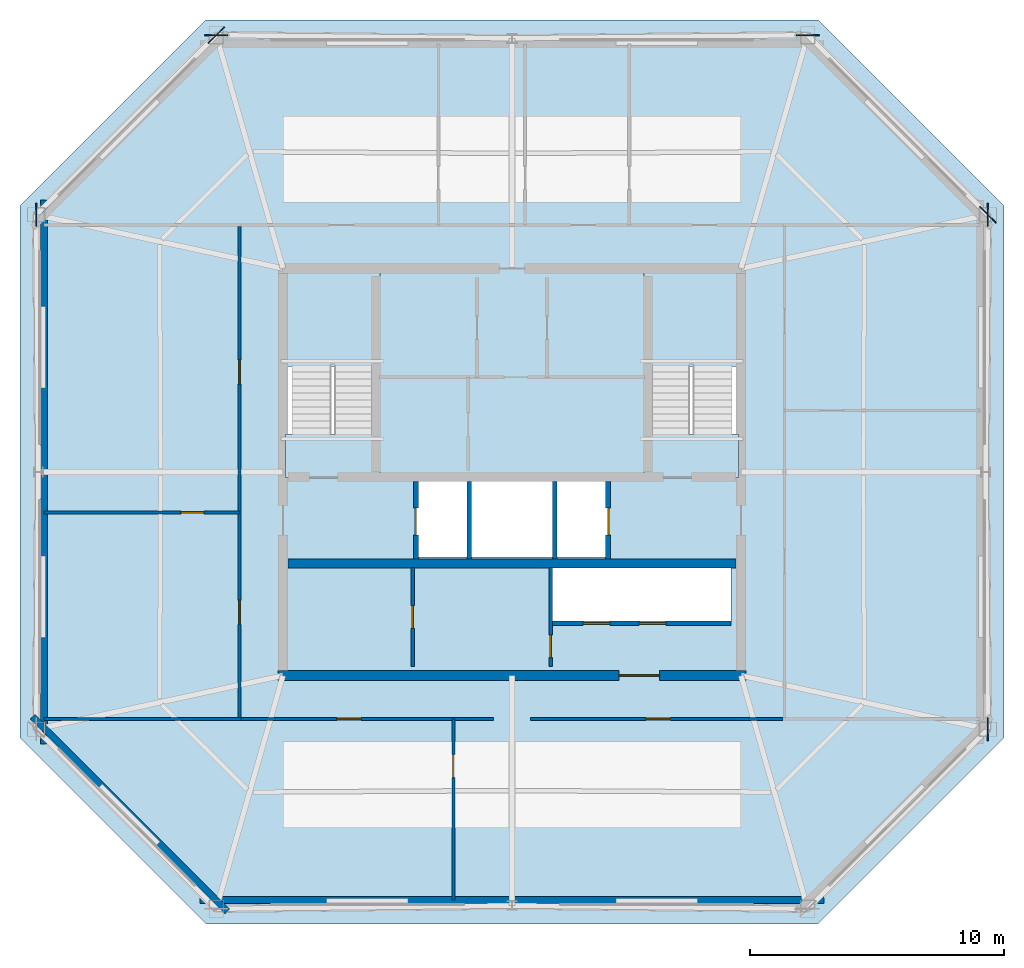
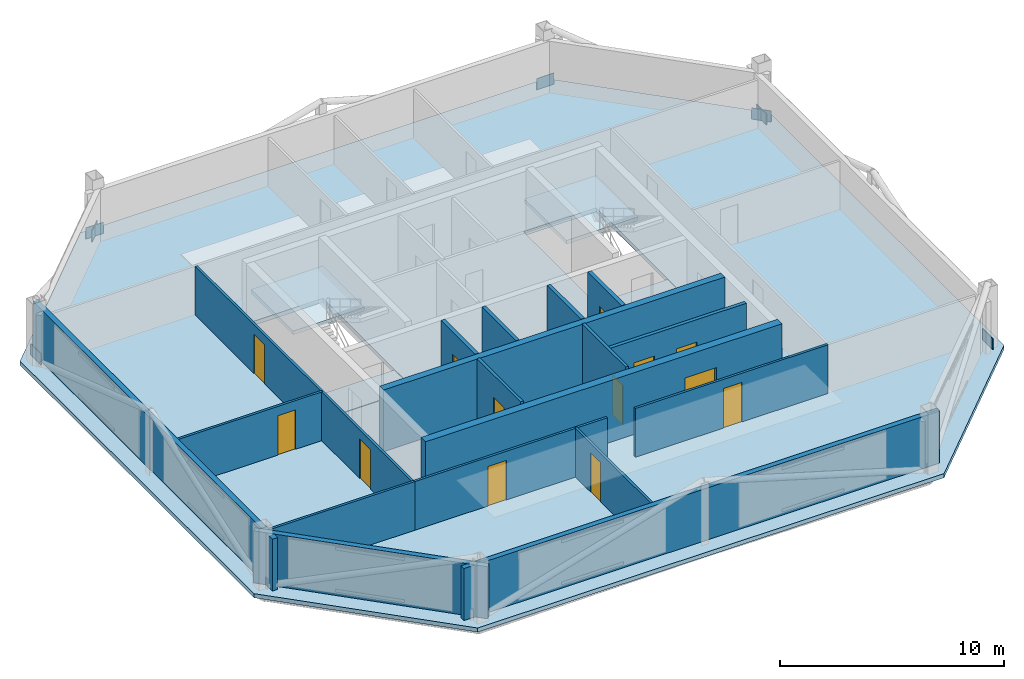
# One storey, part 2 of 6: 18 walls, 13 doors, 7 plates, 5 slabs, 13 openings, 2 elements without a shape of their own.
"""IFC4 building model written with IfcOpenShell, lengths in metres."""

from ifc_helpers import new_model, si_unit, direction, frame, frame_2d, origin, origin_2d, place, context, subcontext, project, spatial, polyline, rectangle, outline, extrude, material, layer, layer_set, type_object, element, fill, aggregate, save


model = new_model("IFC4")

# Units and contexts
model_context = context("Model", 3, precision=1e-05, world=origin(), true_north=direction((0.0, 1.0)))
body_context = subcontext(model_context, "Body", "Model", "MODEL_VIEW")
ifc_project = project(units=[si_unit("LENGTHUNIT", "METRE"), si_unit("AREAUNIT", "SQUARE_METRE"), si_unit("VOLUMEUNIT", "CUBIC_METRE"), si_unit("PLANEANGLEUNIT", "RADIAN"), si_unit("MASSUNIT", "GRAM", prefix="KILO")], contexts=[model_context])

# Site, building, storey
site_placement = place(None, origin())
site = spatial("IfcSite", under=ifc_project, at=site_placement, CompositionType="ELEMENT")
building_placement = place(site_placement, origin())
building = spatial("IfcBuilding", under=site, at=building_placement, Name="Caelvoria Tower", CompositionType="ELEMENT")
storey_placement = place(building_placement, frame((0.0, 0.0, 250.199951171875)))
storey = spatial("IfcBuildingStorey", under=building, at=storey_placement, Name="L66", CompositionType="ELEMENT", Elevation=250.199951171875)

# Plates
ifc_material_1 = material(Name="Structural Steel ASTM A572 Gr.50", Category="steel")
ifc_layer_1 = layer(ifc_material_1, 0.0400390625, Name="Structural Steel ASTM A572 Gr.50")
ifc_layer_set_1 = layer_set([ifc_layer_1], Name="Megaframe Node Gusset Plate 900x600x40 - Structural Steel ASTM A572 Gr.50")
plate_type = type_object("IfcPlateType", Name="Megaframe Node Gusset Plate 900x600x40", PredefinedType="USERDEFINED", material=ifc_layer_set_1)
for number, where, z_axis, x_axis, name in (
    (1, (64.702880859375, 42.112060546875, 0.02001953125), (0.0, 0.0, 1.0), (-0.708311501653, 0.705900004693, 0.0), "Chamfer Mega Brace Gusset L66 NE"),
    (2, (34.37646484375, 49.16748046875, 0.02001953125), (0.0, 0.0, 1.0), (-0.708311501653, -0.705900004693, 0.0), "Chamfer Mega Brace Gusset L66 NW"),
    (3, (64.702880859375, 21.887939453125, 0.050048828125), (0.0, 0.0, 1.0), (-0.008564225944, 0.999963326345, 0.0), "Megaframe Node Gusset Plate ND-01"),
    (4, (64.702880859375, 42.112060546875, 0.050048828125), (0.0, 0.0, 1.0), (-0.008564225944, -0.999963326345, 0.0), "Megaframe Node Gusset Plate ND-01"),
    (5, (57.62353515625, 49.16748046875, 0.050048828125), (0.0, 0.0, 1.0), (-0.999943289296, -0.010649797772, 0.0), "Megaframe Node Gusset Plate ND-01"),
    (6, (34.37646484375, 49.16748046875, 0.050048828125), (0.0, 0.0, 1.0), (0.999943289296, -0.010649797772, 0.0), "Megaframe Node Gusset Plate ND-01"),
    (7, (27.297119140625, 42.112060546875, 0.050048828125), (0.0, 0.0, 1.0), (0.008564225944, -0.999963326345, 0.0), "Megaframe Node Gusset Plate ND-01"),
):
    element("IfcPlate", number, at=place(storey_placement, frame(where, z_axis=z_axis, x_axis=x_axis)), inside=storey, type_object=plate_type, Name=name, ObjectType="GUSSET_PLATE", PredefinedType="USERDEFINED", context=body_context, shape_type="SweptSolid", body=[
        extrude(rectangle(XDim=0.89990234375, YDim=0.0400390625, at=origin_2d()), origin(), (0.0, 0.0, 1.0), 0.60009765625),
    ])

# Stair, slabs
ifc_material_2 = material(Name="Concrete C40/50", Category="concrete")
stair_type = type_object("IfcStairType", Name="Core Smokeproof Dogleg Stair Concrete C40/50", PredefinedType="HALF_TURN_STAIR", material=ifc_material_2)
stair_1_placement = place(storey_placement, origin())
stair_1 = element("IfcStair", 8, at=stair_1_placement, inside=storey, type_object=stair_type, Name="ST-01 Smokeproof Exit Stair L66", PredefinedType="HALF_TURN_STAIR")
ifc_layer_2 = layer(ifc_material_2, 0.199951171875, Name="Concrete C40/50")
ifc_layer_set_2 = layer_set([ifc_layer_2], Name="Stair Half and Floor Landing Slab 200 Concrete C40/50 - Concrete C40/50")
slab_type_1 = type_object("IfcSlabType", Name="Stair Half and Floor Landing Slab 200 Concrete C40/50", PredefinedType="LANDING", material=ifc_layer_set_2)
slab_1_placement = place(storey_placement, frame((0.0, 0.0, -0.199951171875)))
slab_1 = element("IfcSlab", 9, at=slab_1_placement, type_object=slab_type_1, Name="ST-01 landing 1", PredefinedType="LANDING", context=body_context, shape_type="SweptSolid", body=[
    extrude(outline(polyline([(37.10009765625, 31.77001953125), (40.800048828125, 31.77001953125), (40.800048828125, 33.5), (37.10009765625, 33.5), (37.10009765625, 31.77001953125)])), origin(), (0.0, 0.0, 1.0), 0.199951171875),
])
slab_2_placement = place(storey_placement, frame((0.0, 0.0, 1.60009765625)))
slab_2 = element("IfcSlab", 10, at=slab_2_placement, type_object=slab_type_1, Name="ST-01 landing 2", PredefinedType="LANDING", context=body_context, shape_type="SweptSolid", body=[
    extrude(outline(polyline([(37.10009765625, 36.14990234375), (40.800048828125, 36.14990234375), (40.800048828125, 39.89990234375), (37.10009765625, 39.89990234375), (37.10009765625, 36.14990234375)])), origin(), (0.0, 0.0, 1.0), 0.199951171875),
])
aggregate(stair_1, [slab_1, slab_2])

stair_2_placement = place(storey_placement, origin())
stair_2 = element("IfcStair", 11, at=stair_2_placement, inside=storey, type_object=stair_type, Name="ST-02 Smokeproof Exit Stair L66", PredefinedType="HALF_TURN_STAIR")
slab_3_placement = place(storey_placement, frame((0.0, 0.0, -0.199951171875)))
slab_3 = element("IfcSlab", 12, at=slab_3_placement, type_object=slab_type_1, Name="ST-02 landing 1", PredefinedType="LANDING", context=body_context, shape_type="SweptSolid", body=[
    extrude(outline(polyline([(51.199951171875, 31.77001953125), (54.89990234375, 31.77001953125), (54.89990234375, 33.5), (51.199951171875, 33.5), (51.199951171875, 31.77001953125)])), origin(), (0.0, 0.0, 1.0), 0.199951171875),
])
slab_4_placement = place(storey_placement, frame((0.0, 0.0, 1.60009765625)))
slab_4 = element("IfcSlab", 13, at=slab_4_placement, type_object=slab_type_1, Name="ST-02 landing 2", PredefinedType="LANDING", context=body_context, shape_type="SweptSolid", body=[
    extrude(outline(polyline([(51.199951171875, 36.14990234375), (54.89990234375, 36.14990234375), (54.89990234375, 39.89990234375), (51.199951171875, 39.89990234375), (51.199951171875, 36.14990234375)])), origin(), (0.0, 0.0, 1.0), 0.199951171875),
])
aggregate(stair_2, [slab_3, slab_4])

# Slab
ifc_layer_3 = layer(ifc_material_2, 0.22509765625, Name="Concrete C40/50")
ifc_layer_set_3 = layer_set([ifc_layer_3], Name="Upper Tower Composite Office Slab 225 - Concrete C40/50")
slab_type_2 = type_object("IfcSlabType", Name="Upper Tower Composite Office Slab 225", PredefinedType="FLOOR", material=ifc_layer_set_3)
slab_5_placement = place(storey_placement, frame((0.0, 0.0, -0.224853515625)))
element("IfcSlab", 14, at=slab_5_placement, inside=storey, type_object=slab_type_2, Name="Level L66 Structural Floor Slab", PredefinedType="FLOOR", context=body_context, shape_type="SweptSolid", body=[
    extrude(outline(polyline([(33.97265625, 14.236328125), (58.02734375, 14.236328125), (65.33642578125, 21.54541015625), (65.33642578125, 42.45458984375), (58.02734375, 49.763671875), (33.97265625, 49.763671875), (26.66357421875, 42.45458984375), (26.66357421875, 21.54541015625), (33.97265625, 14.236328125)]), holes=[polyline([(37.080078125, 31.75), (40.820068359375, 31.75), (40.820068359375, 39.919921875), (37.080078125, 39.919921875), (37.080078125, 31.75)]), polyline([(51.179931640625, 31.75), (54.919921875, 31.75), (54.919921875, 39.919921875), (51.179931640625, 39.919921875), (51.179931640625, 31.75)]), polyline([(42.25, 28.64990234375), (49.75, 28.64990234375), (49.75, 31.800048828125), (42.25, 31.800048828125), (42.25, 28.64990234375)]), polyline([(47.60009765625, 26.14990234375), (54.60009765625, 26.14990234375), (54.60009765625, 28.25), (47.60009765625, 28.25), (47.60009765625, 26.14990234375)])]), origin(), (0.0, 0.0, 1.0), 0.224853515625),
])

# Wall
ifc_material_3 = material(Name="Concrete C50/60", Category="concrete")
ifc_layer_4 = layer(ifc_material_3, 0.35009765625, Name="Concrete C50/60")
ifc_layer_set_4 = layer_set([ifc_layer_4], Name="Core Internal Shear Wall 350 - Concrete C50/60")
wall_type_1 = type_object("IfcWallType", Name="Core Internal Shear Wall 350", PredefinedType="SHEAR", material=ifc_layer_set_4)
wall_1_placement = place(storey_placement, frame((37.199951171875, 28.39990234375, 0.0), z_axis=(0.0, 0.0, 1.0), x_axis=(1.0, 0.0, 0.0)))
element("IfcWall", 15, at=wall_1_placement, inside=storey, type_object=wall_type_1, Name="Core Shear Wall L66 M2", PredefinedType="SHEAR", context=body_context, shape_type="SweptSolid", body=[
    extrude(rectangle(XDim=17.60009765625, YDim=0.35009765625, at=frame_2d((8.800048828125, 0.0))), origin(), (0.0, 0.0, 1.0), 3.360107421875),
])

# Wall, opening, door
ifc_material_4 = material(Name="Double Gypsum Board on Steel Stud", Category="steel")
ifc_layer_5 = layer(ifc_material_4, 0.14990234375, Name="Double Gypsum Board on Steel Stud")
ifc_layer_set_5 = layer_set([ifc_layer_5], Name="Core Service Acoustic Partition Wall 150 - Double Gypsum Board on Steel Stud")
wall_type_2 = type_object("IfcWallType", Name="Core Service Acoustic Partition Wall 150", PredefinedType="PARTITIONING", material=ifc_layer_set_5)
wall_2_placement = place(storey_placement, frame((42.10009765625, 24.35009765625, 0.0), z_axis=(0.0, 0.0, 1.0), x_axis=(0.0, 1.0, 0.0)))
wall_2 = element("IfcWall", 16, at=wall_2_placement, inside=storey, type_object=wall_type_2, Name="Interior Partition IW-L66-RECL-MID", PredefinedType="PARTITIONING", context=body_context, shape_type="SweptSolid", body=[
    extrude(rectangle(XDim=3.89990234375, YDim=0.14990234375, at=frame_2d((1.949951171875, 0.0))), origin(), (0.0, 0.0, 1.0), 3.375),
])
opening_1_placement = place(wall_2_placement, frame((1.5, 0.0, 0.0)))
opening_1 = element("IfcOpeningElement", 17, at=opening_1_placement, cuts=wall_2, Name="Opening ID-06", PredefinedType="OPENING", context=body_context, shape_type="SweptSolid", body=[
    extrude(rectangle(XDim=0.89990234375, YDim=2.14990234375, at=frame_2d((0.449951171875, 1.074951171875))), frame((0.0, 0.0849609375, 0.0), z_axis=(0.0, -1.0, 0.0), x_axis=(1.0, 0.0, 0.0)), (0.0, 0.0, 1.0), 0.169921875),
])
ifc_material_5 = material(Name="Engineered Andean Oak Veneer Door", Category="wood")
door_type_1 = type_object("IfcDoorType", Name="Interior Timber Door 900x2150", OperationType="NOTDEFINED", PredefinedType="DOOR", material=ifc_material_5)
door_1_placement = place(opening_1_placement, origin())
door_1 = element("IfcDoor", 18, at=door_1_placement, inside=storey, type_object=door_type_1, Name="Interior Door DR-L66-RECL12", OperationType="SINGLE_SWING_LEFT", OverallHeight=2.14990234375, OverallWidth=0.89990234375, PredefinedType="DOOR", context=body_context, shape_type="SweptSolid", body=[
    extrude(rectangle(XDim=0.89990234375, YDim=2.14990234375, at=frame_2d((0.449951171875, 1.074951171875))), frame((0.0, 0.02490234375, 0.0), z_axis=(0.0, -1.0, 0.0), x_axis=(1.0, 0.0, 0.0)), (0.0, 0.0, 1.0), 0.050048828125),
])
fill(opening_1, door_1)

wall_3_placement = place(storey_placement, frame((47.52001953125, 24.35009765625, 0.0), z_axis=(0.0, 0.0, 1.0), x_axis=(0.0, 1.0, 0.0)))
wall_3 = element("IfcWall", 19, at=wall_3_placement, inside=storey, type_object=wall_type_2, Name="Interior Partition IW-L66-RECL2E", PredefinedType="PARTITIONING", context=body_context, shape_type="SweptSolid", body=[
    extrude(rectangle(XDim=3.89990234375, YDim=0.14990234375, at=frame_2d((1.949951171875, 0.0))), origin(), (0.0, 0.0, 1.0), 3.375),
])
opening_2_placement = place(wall_3_placement, frame((0.35009765625, 0.0, 0.0)))
opening_2 = element("IfcOpeningElement", 20, at=opening_2_placement, cuts=wall_3, Name="Opening ID-04", PredefinedType="OPENING", context=body_context, shape_type="SweptSolid", body=[
    extrude(rectangle(XDim=0.89990234375, YDim=2.14990234375, at=frame_2d((0.449951171875, 1.074951171875))), frame((0.0, 0.0849609375, 0.0), z_axis=(0.0, -1.0, 0.0), x_axis=(1.0, 0.0, 0.0)), (0.0, 0.0, 1.0), 0.169921875),
])
ifc_material_6 = material(Name="Acoustic Timber Fire Door", Category="wood")
door_type_2 = type_object("IfcDoorType", Name="Fire Door FD30S 900x2150", OperationType="NOTDEFINED", PredefinedType="DOOR", material=ifc_material_6)
door_2_placement = place(opening_2_placement, origin())
door_2 = element("IfcDoor", 21, at=door_2_placement, inside=storey, type_object=door_type_2, Name="Interior Door DR-L66-RECL2", OperationType="SINGLE_SWING_RIGHT", OverallHeight=2.14990234375, OverallWidth=0.89990234375, PredefinedType="DOOR", context=body_context, shape_type="SweptSolid", body=[
    extrude(rectangle(XDim=0.89990234375, YDim=2.14990234375, at=frame_2d((0.449951171875, 1.074951171875))), frame((0.0, 0.02490234375, 0.0), z_axis=(0.0, -1.0, 0.0), x_axis=(1.0, 0.0, 0.0)), (0.0, 0.0, 1.0), 0.050048828125),
])
fill(opening_2, door_2)

# Walls
ifc_material_7 = material(Name="Concrete Block and Fireboard Assembly", Category="concrete")
ifc_layer_6 = layer(ifc_material_7, 0.179931640625, Name="Concrete Block and Fireboard Assembly")
ifc_layer_set_6 = layer_set([ifc_layer_6], Name="Fire-Rated Hoistway Partition Wall 180 - Concrete Block and Fireboard Assembly")
wall_type_3 = type_object("IfcWallType", Name="Fire-Rated Hoistway Partition Wall 180", PredefinedType="PARTITIONING", material=ifc_layer_set_6)
for number, where, z_axis, x_axis, name in (
    (22, (44.320068359375, 28.580078125, 0.0), (0.0, 0.0, 1.0), (0.0, 1.0, 0.0), "Interior Partition IW-L66-SV1W"),
    (23, (47.679931640625, 28.580078125, 0.0), (0.0, 0.0, 1.0), (0.0, 1.0, 0.0), "Interior Partition IW-L66-SV1E"),
):
    element("IfcWall", number, at=place(storey_placement, frame(where, z_axis=z_axis, x_axis=x_axis)), inside=storey, type_object=wall_type_3, Name=name, PredefinedType="PARTITIONING", context=body_context, shape_type="SweptSolid", body=[
        extrude(rectangle(XDim=3.0400390625, YDim=0.179931640625, at=frame_2d((1.52001953125, 0.0))), origin(), (0.0, 0.0, 1.0), 3.375),
    ])

# Wall, openings, doors
wall_4_placement = place(storey_placement, frame((47.60009765625, 26.050048828125, 0.0), z_axis=(0.0, 0.0, 1.0), x_axis=(1.0, 0.0, 0.0)))
wall_4 = element("IfcWall", 24, at=wall_4_placement, inside=storey, type_object=wall_type_3, Name="Interior Partition IW-L66-LFRONT", PredefinedType="PARTITIONING", context=body_context, shape_type="SweptSolid", body=[
    extrude(rectangle(XDim=7.0, YDim=0.179931640625, at=frame_2d((3.5, 0.0))), origin(), (0.0, 0.0, 1.0), 3.375),
])
opening_3_placement = place(wall_4_placement, frame((1.199951171875, 0.0, 0.0)))
opening_3 = element("IfcOpeningElement", 25, at=opening_3_placement, cuts=wall_4, Name="Opening LD-01", PredefinedType="OPENING", context=body_context, shape_type="SweptSolid", body=[
    extrude(rectangle(XDim=1.050048828125, YDim=2.14990234375, at=frame_2d((0.52490234375, 1.074951171875))), frame((0.0, 0.099853515625, 0.0), z_axis=(0.0, -1.0, 0.0), x_axis=(1.0, 0.0, 0.0)), (0.0, 0.0, 1.0), 0.199951171875),
])
opening_4_placement = place(wall_4_placement, frame((3.39990234375, 0.0, 0.0)))
opening_4 = element("IfcOpeningElement", 26, at=opening_4_placement, cuts=wall_4, Name="Opening LD-01", PredefinedType="OPENING", context=body_context, shape_type="SweptSolid", body=[
    extrude(rectangle(XDim=1.050048828125, YDim=2.14990234375, at=frame_2d((0.52490234375, 1.074951171875))), frame((0.0, 0.099853515625, 0.0), z_axis=(0.0, -1.0, 0.0), x_axis=(1.0, 0.0, 0.0)), (0.0, 0.0, 1.0), 0.199951171875),
])
ifc_material_8 = material(Name="Brushed Bronze Stainless Sliding Landing Door", Category="aluminium")
door_type_3 = type_object("IfcDoorType", Name="Lift Landing Sliding Door 1100x2150", OperationType="NOTDEFINED", PredefinedType="DOOR", material=ifc_material_8)
door_3_placement = place(opening_3_placement, origin())
door_3 = element("IfcDoor", 27, at=door_3_placement, inside=storey, type_object=door_type_3, Name="Interior Door LD-L66-PH1", OperationType="SLIDING_TO_LEFT", OverallHeight=2.14990234375, OverallWidth=1.050048828125, PredefinedType="DOOR", context=body_context, shape_type="SweptSolid", body=[
    extrude(rectangle(XDim=1.050048828125, YDim=2.14990234375, at=frame_2d((0.52490234375, 1.074951171875))), frame((0.0, 0.02490234375, 0.0), z_axis=(0.0, -1.0, 0.0), x_axis=(1.0, 0.0, 0.0)), (0.0, 0.0, 1.0), 0.050048828125),
])
fill(opening_3, door_3)
door_4_placement = place(opening_4_placement, origin())
door_4 = element("IfcDoor", 28, at=door_4_placement, inside=storey, type_object=door_type_3, Name="Interior Door LD-L66-PH2", OperationType="SLIDING_TO_RIGHT", OverallHeight=2.14990234375, OverallWidth=1.050048828125, PredefinedType="DOOR", context=body_context, shape_type="SweptSolid", body=[
    extrude(rectangle(XDim=1.050048828125, YDim=2.14990234375, at=frame_2d((0.52490234375, 1.074951171875))), frame((0.0, 0.02490234375, 0.0), z_axis=(0.0, -1.0, 0.0), x_axis=(1.0, 0.0, 0.0)), (0.0, 0.0, 1.0), 0.050048828125),
])
fill(opening_4, door_4)

# Wall, opening, door
ifc_layer_7 = layer(ifc_material_7, 0.199951171875, Name="Concrete Block and Fireboard Assembly")
ifc_layer_set_7 = layer_set([ifc_layer_7], Name="Fire-Rated Shaft and Core Partition Wall 200 - Concrete Block and Fireboard Assembly")
wall_type_4 = type_object("IfcWallType", Name="Fire-Rated Shaft and Core Partition Wall 200", PredefinedType="PARTITIONING", material=ifc_layer_set_7)
wall_5_placement = place(storey_placement, frame((42.219970703125, 28.580078125, 0.0), z_axis=(0.0, 0.0, 1.0), x_axis=(0.0, 1.0, 0.0)))
wall_5 = element("IfcWall", 29, at=wall_5_placement, inside=storey, type_object=wall_type_4, Name="Interior Partition IW-L66-LF1W", PredefinedType="PARTITIONING", context=body_context, shape_type="SweptSolid", body=[
    extrude(rectangle(XDim=3.0400390625, YDim=0.199951171875, at=frame_2d((1.52001953125, 0.0))), origin(), (0.0, 0.0, 1.0), 3.375),
])
opening_5_placement = place(wall_5_placement, frame((0.949951171875, 0.0, 0.0)))
opening_5 = element("IfcOpeningElement", 30, at=opening_5_placement, cuts=wall_5, Name="Opening LD-01", PredefinedType="OPENING", context=body_context, shape_type="SweptSolid", body=[
    extrude(rectangle(XDim=1.050048828125, YDim=2.14990234375, at=frame_2d((0.52490234375, 1.074951171875))), frame((0.0, 0.10986328125, 0.0), z_axis=(0.0, -1.0, 0.0), x_axis=(1.0, 0.0, 0.0)), (0.0, 0.0, 1.0), 0.219970703125),
])
door_5_placement = place(opening_5_placement, origin())
door_5 = element("IfcDoor", 31, at=door_5_placement, inside=storey, type_object=door_type_3, Name="Interior Door LD-L66-LF1", OperationType="SLIDING_TO_LEFT", OverallHeight=2.14990234375, OverallWidth=1.050048828125, PredefinedType="DOOR", context=body_context, shape_type="SweptSolid", body=[
    extrude(rectangle(XDim=1.050048828125, YDim=2.14990234375, at=frame_2d((0.52490234375, 1.074951171875))), frame((0.0, 0.02490234375, 0.0), z_axis=(0.0, -1.0, 0.0), x_axis=(1.0, 0.0, 0.0)), (0.0, 0.0, 1.0), 0.050048828125),
])
fill(opening_5, door_5)

wall_6_placement = place(storey_placement, frame((49.780029296875, 28.580078125, 0.0), z_axis=(0.0, 0.0, 1.0), x_axis=(0.0, 1.0, 0.0)))
wall_6 = element("IfcWall", 32, at=wall_6_placement, inside=storey, type_object=wall_type_4, Name="Interior Partition IW-L66-LF2E", PredefinedType="PARTITIONING", context=body_context, shape_type="SweptSolid", body=[
    extrude(rectangle(XDim=3.0400390625, YDim=0.199951171875, at=frame_2d((1.52001953125, 0.0))), origin(), (0.0, 0.0, 1.0), 3.375),
])
opening_6_placement = place(wall_6_placement, frame((0.949951171875, 0.0, 0.0)))
opening_6 = element("IfcOpeningElement", 33, at=opening_6_placement, cuts=wall_6, Name="Opening LD-01", PredefinedType="OPENING", context=body_context, shape_type="SweptSolid", body=[
    extrude(rectangle(XDim=1.050048828125, YDim=2.14990234375, at=frame_2d((0.52490234375, 1.074951171875))), frame((0.0, 0.10986328125, 0.0), z_axis=(0.0, -1.0, 0.0), x_axis=(1.0, 0.0, 0.0)), (0.0, 0.0, 1.0), 0.219970703125),
])
door_6_placement = place(opening_6_placement, origin())
door_6 = element("IfcDoor", 34, at=door_6_placement, inside=storey, type_object=door_type_3, Name="Interior Door LD-L66-LF2", OperationType="SLIDING_TO_RIGHT", OverallHeight=2.14990234375, OverallWidth=1.050048828125, PredefinedType="DOOR", context=body_context, shape_type="SweptSolid", body=[
    extrude(rectangle(XDim=1.050048828125, YDim=2.14990234375, at=frame_2d((0.52490234375, 1.074951171875))), frame((0.0, 0.02490234375, 0.0), z_axis=(0.0, -1.0, 0.0), x_axis=(1.0, 0.0, 0.0)), (0.0, 0.0, 1.0), 0.050048828125),
])
fill(opening_6, door_6)

ifc_layer_8 = layer(ifc_material_3, 0.39990234375, Name="Concrete C50/60")
ifc_layer_set_8 = layer_set([ifc_layer_8], Name="Summit Core Shear Wall 400 - Concrete C50/60")
wall_type_5 = type_object("IfcWallType", Name="Summit Core Shear Wall 400", PredefinedType="SHEAR", material=ifc_layer_set_8)
wall_7_placement = place(storey_placement, frame((36.800048828125, 24.0, 0.0), z_axis=(0.0, 0.0, 1.0), x_axis=(1.0, 0.0, 0.0)))
wall_7 = element("IfcWall", 35, at=wall_7_placement, inside=storey, type_object=wall_type_5, Name="Core Shear Wall L66 S", PredefinedType="SHEAR", context=body_context, shape_type="SweptSolid", body=[
    extrude(rectangle(XDim=18.39990234375, YDim=0.39990234375, at=frame_2d((9.199951171875, 0.0))), origin(), (0.0, 0.0, 1.0), 3.360107421875),
])
opening_7_placement = place(wall_7_placement, frame((13.39990234375, 0.0, 0.0)))
opening_7 = element("IfcOpeningElement", 36, at=opening_7_placement, cuts=wall_7, Name="Opening ID-08", PredefinedType="OPENING", context=body_context, shape_type="SweptSolid", body=[
    extrude(rectangle(XDim=1.60009765625, YDim=2.14990234375, at=frame_2d((0.800048828125, 1.074951171875))), frame((0.0, 0.2099609375, 0.0), z_axis=(0.0, -1.0, 0.0), x_axis=(1.0, 0.0, 0.0)), (0.0, 0.0, 1.0), 0.419921875),
])
ifc_material_9 = material(Name="Bronze-Framed Fire-Rated Glazed Double Door", Category="aluminium")
door_type_4 = type_object("IfcDoorType", Name="Double Lobby Glazed Door 1600x2200", OperationType="NOTDEFINED", PredefinedType="DOOR", material=ifc_material_9)
door_7_placement = place(opening_7_placement, origin())
door_7 = element("IfcDoor", 37, at=door_7_placement, inside=storey, type_object=door_type_4, Name="Core Door DR-L66-LLOB-S2", OperationType="DOUBLE_DOOR_SINGLE_SWING", OverallHeight=2.14990234375, OverallWidth=1.60009765625, PredefinedType="DOOR", context=body_context, shape_type="SweptSolid", body=[
    extrude(rectangle(XDim=1.60009765625, YDim=2.14990234375, at=frame_2d((0.800048828125, 1.074951171875))), frame((0.0, 0.02490234375, 0.0), z_axis=(0.0, -1.0, 0.0), x_axis=(1.0, 0.0, 0.0)), (0.0, 0.0, 1.0), 0.050048828125),
])
fill(opening_7, door_7)

ifc_material_10 = material(Name="Acoustic Gypsum Board on Light-Gauge Stud", Category="gypsum")
ifc_layer_9 = layer(ifc_material_10, 0.1201171875, Name="Acoustic Gypsum Board on Light-Gauge Stud")
ifc_layer_set_9 = layer_set([ifc_layer_9], Name="Tenant Suite Acoustic Partition Wall 120 - Acoustic Gypsum Board on Light-Gauge Stud")
wall_type_6 = type_object("IfcWallType", Name="Tenant Suite Acoustic Partition Wall 120", PredefinedType="PARTITIONING", material=ifc_layer_set_9)
wall_8_placement = place(storey_placement, frame((43.693115234375, 22.2900390625, 0.0), z_axis=(0.0, 0.0, 1.0), x_axis=(0.0, -1.0, 0.0)))
wall_8 = element("IfcWall", 38, at=wall_8_placement, inside=storey, type_object=wall_type_6, Name="Interior Partition IW-L66-SD-00-0", PredefinedType="PARTITIONING", context=body_context, shape_type="SweptSolid", body=[
    extrude(rectangle(XDim=7.113525390625, YDim=0.1201171875, at=frame_2d((3.556640625, 0.0))), origin(), (0.0, 0.0, 1.0), 2.655029296875),
])
opening_8_placement = place(wall_8_placement, frame((1.39990234375, 0.0, 0.0)))
opening_8 = element("IfcOpeningElement", 39, at=opening_8_placement, cuts=wall_8, Name="Opening ID-06", PredefinedType="OPENING", context=body_context, shape_type="SweptSolid", body=[
    extrude(rectangle(XDim=0.89990234375, YDim=2.14990234375, at=frame_2d((0.449951171875, 1.074951171875))), frame((0.0, 0.070068359375, 0.0), z_axis=(0.0, -1.0, 0.0), x_axis=(1.0, 0.0, 0.0)), (0.0, 0.0, 1.0), 0.14013671875),
])
door_8_placement = place(opening_8_placement, origin())
door_8 = element("IfcDoor", 40, at=door_8_placement, inside=storey, type_object=door_type_1, Name="Interior Door DR-L66-SM-00-0", OperationType="SINGLE_SWING_RIGHT", OverallHeight=2.14990234375, OverallWidth=0.89990234375, PredefinedType="DOOR", context=body_context, shape_type="SweptSolid", body=[
    extrude(rectangle(XDim=0.89990234375, YDim=2.14990234375, at=frame_2d((0.449951171875, 1.074951171875))), frame((0.0, 0.02490234375, 0.0), z_axis=(0.0, -1.0, 0.0), x_axis=(1.0, 0.0, 0.0)), (0.0, 0.0, 1.0), 0.050048828125),
])
fill(opening_8, door_8)

wall_9_placement = place(storey_placement, frame((35.35009765625, 22.2900390625, 0.0), z_axis=(0.0, 0.0, 1.0), x_axis=(1.0, 0.0, 0.0)))
wall_9 = element("IfcWall", 41, at=wall_9_placement, inside=storey, type_object=wall_type_6, Name="Interior Partition IW-L66-SCW-0", PredefinedType="PARTITIONING", context=body_context, shape_type="SweptSolid", body=[
    extrude(rectangle(XDim=9.929931640625, YDim=0.1201171875, at=frame_2d((4.96484375, 0.0))), origin(), (0.0, 0.0, 1.0), 2.655029296875),
])
opening_9_placement = place(wall_9_placement, frame((3.7666015625, 0.0, 0.0)))
opening_9 = element("IfcOpeningElement", 42, at=opening_9_placement, cuts=wall_9, Name="Opening ID-05", PredefinedType="OPENING", context=body_context, shape_type="SweptSolid", body=[
    extrude(rectangle(XDim=0.949951171875, YDim=2.14990234375, at=frame_2d((0.47509765625, 1.074951171875))), frame((0.0, 0.070068359375, 0.0), z_axis=(0.0, -1.0, 0.0), x_axis=(1.0, 0.0, 0.0)), (0.0, 0.0, 1.0), 0.14013671875),
])
door_type_5 = type_object("IfcDoorType", Name="Interior Timber Door 950x2150", OperationType="NOTDEFINED", PredefinedType="DOOR", material=ifc_material_5)
door_9_placement = place(opening_9_placement, origin())
door_9 = element("IfcDoor", 43, at=door_9_placement, inside=storey, type_object=door_type_5, Name="Interior Door DR-L66-SC-00-0", OperationType="SINGLE_SWING_LEFT", OverallHeight=2.14990234375, OverallWidth=0.949951171875, PredefinedType="DOOR", context=body_context, shape_type="SweptSolid", body=[
    extrude(rectangle(XDim=0.949951171875, YDim=2.14990234375, at=frame_2d((0.47509765625, 1.074951171875))), frame((0.0, 0.02490234375, 0.0), z_axis=(0.0, -1.0, 0.0), x_axis=(1.0, 0.0, 0.0)), (0.0, 0.0, 1.0), 0.050048828125),
])
fill(opening_9, door_9)

wall_10_placement = place(storey_placement, frame((46.719970703125, 22.2900390625, 0.0), z_axis=(0.0, 0.0, 1.0), x_axis=(1.0, 0.0, 0.0)))
wall_10 = element("IfcWall", 44, at=wall_10_placement, inside=storey, type_object=wall_type_6, Name="Interior Partition IW-L66-SCW-1", PredefinedType="PARTITIONING", context=body_context, shape_type="SweptSolid", body=[
    extrude(rectangle(XDim=9.929931640625, YDim=0.1201171875, at=frame_2d((4.96484375, 0.0))), origin(), (0.0, 0.0, 1.0), 2.655029296875),
])
opening_10_placement = place(wall_10_placement, frame((4.554931640625, 0.0, 0.0)))
opening_10 = element("IfcOpeningElement", 45, at=opening_10_placement, cuts=wall_10, Name="Opening ID-05", PredefinedType="OPENING", context=body_context, shape_type="SweptSolid", body=[
    extrude(rectangle(XDim=0.949951171875, YDim=2.14990234375, at=frame_2d((0.47509765625, 1.074951171875))), frame((0.0, 0.070068359375, 0.0), z_axis=(0.0, -1.0, 0.0), x_axis=(1.0, 0.0, 0.0)), (0.0, 0.0, 1.0), 0.14013671875),
])
door_10_placement = place(opening_10_placement, origin())
door_10 = element("IfcDoor", 46, at=door_10_placement, inside=storey, type_object=door_type_5, Name="Interior Door DR-L66-SC-01-0", OperationType="SINGLE_SWING_RIGHT", OverallHeight=2.14990234375, OverallWidth=0.949951171875, PredefinedType="DOOR", context=body_context, shape_type="SweptSolid", body=[
    extrude(rectangle(XDim=0.949951171875, YDim=2.14990234375, at=frame_2d((0.47509765625, 1.074951171875))), frame((0.0, 0.02490234375, 0.0), z_axis=(0.0, -1.0, 0.0), x_axis=(1.0, 0.0, 0.0)), (0.0, 0.0, 1.0), 0.050048828125),
])
fill(opening_10, door_10)

wall_11_placement = place(storey_placement, frame((35.2900390625, 30.4130859375, 0.0), z_axis=(0.0, 0.0, 1.0), x_axis=(-1.0, 0.0, 0.0)))
wall_11 = element("IfcWall", 47, at=wall_11_placement, inside=storey, type_object=wall_type_6, Name="Interior Partition IW-L66-WD-00-0", PredefinedType="PARTITIONING", context=body_context, shape_type="SweptSolid", body=[
    extrude(rectangle(XDim=7.6865234375, YDim=0.1201171875, at=frame_2d((3.84326171875, 0.0))), origin(), (0.0, 0.0, 1.0), 2.655029296875),
])
opening_11_placement = place(wall_11_placement, frame((1.39990234375, 0.0, 0.0)))
opening_11 = element("IfcOpeningElement", 48, at=opening_11_placement, cuts=wall_11, Name="Opening ID-06", PredefinedType="OPENING", context=body_context, shape_type="SweptSolid", body=[
    extrude(rectangle(XDim=0.89990234375, YDim=2.14990234375, at=frame_2d((0.449951171875, 1.074951171875))), frame((0.0, 0.070068359375, 0.0), z_axis=(0.0, -1.0, 0.0), x_axis=(1.0, 0.0, 0.0)), (0.0, 0.0, 1.0), 0.14013671875),
])
door_11_placement = place(opening_11_placement, origin())
door_11 = element("IfcDoor", 49, at=door_11_placement, inside=storey, type_object=door_type_1, Name="Interior Door DR-L66-WM-00-0", OperationType="SINGLE_SWING_RIGHT", OverallHeight=2.14990234375, OverallWidth=0.89990234375, PredefinedType="DOOR", context=body_context, shape_type="SweptSolid", body=[
    extrude(rectangle(XDim=0.89990234375, YDim=2.14990234375, at=frame_2d((0.449951171875, 1.074951171875))), frame((0.0, 0.02490234375, 0.0), z_axis=(0.0, -1.0, 0.0), x_axis=(1.0, 0.0, 0.0)), (0.0, 0.0, 1.0), 0.050048828125),
])
fill(opening_11, door_11)

# Wall, openings, doors
wall_12_placement = place(storey_placement, frame((35.2900390625, 22.35009765625, 0.0), z_axis=(0.0, 0.0, 1.0), x_axis=(0.0, 1.0, 0.0)))
wall_12 = element("IfcWall", 50, at=wall_12_placement, inside=storey, type_object=wall_type_6, Name="Interior Partition IW-L66-WCW-0", PredefinedType="PARTITIONING", context=body_context, shape_type="SweptSolid", body=[
    extrude(rectangle(XDim=19.2998046875, YDim=0.1201171875, at=frame_2d((9.64990234375, 0.0))), origin(), (0.0, 0.0, 1.0), 2.655029296875),
])
opening_12_placement = place(wall_12_placement, frame((3.656494140625, 0.0, 0.0)))
opening_12 = element("IfcOpeningElement", 51, at=opening_12_placement, cuts=wall_12, Name="Opening ID-05", PredefinedType="OPENING", context=body_context, shape_type="SweptSolid", body=[
    extrude(rectangle(XDim=0.949951171875, YDim=2.14990234375, at=frame_2d((0.47509765625, 1.074951171875))), frame((0.0, 0.070068359375, 0.0), z_axis=(0.0, -1.0, 0.0), x_axis=(1.0, 0.0, 0.0)), (0.0, 0.0, 1.0), 0.14013671875),
])
opening_13_placement = place(wall_12_placement, frame((13.1064453125, 0.0, 0.0)))
opening_13 = element("IfcOpeningElement", 52, at=opening_13_placement, cuts=wall_12, Name="Opening ID-05", PredefinedType="OPENING", context=body_context, shape_type="SweptSolid", body=[
    extrude(rectangle(XDim=0.949951171875, YDim=2.14990234375, at=frame_2d((0.47509765625, 1.074951171875))), frame((0.0, 0.070068359375, 0.0), z_axis=(0.0, -1.0, 0.0), x_axis=(1.0, 0.0, 0.0)), (0.0, 0.0, 1.0), 0.14013671875),
])
door_12_placement = place(opening_12_placement, origin())
door_12 = element("IfcDoor", 53, at=door_12_placement, inside=storey, type_object=door_type_5, Name="Interior Door DR-L66-WC-00-0", OperationType="SINGLE_SWING_LEFT", OverallHeight=2.14990234375, OverallWidth=0.949951171875, PredefinedType="DOOR", context=body_context, shape_type="SweptSolid", body=[
    extrude(rectangle(XDim=0.949951171875, YDim=2.14990234375, at=frame_2d((0.47509765625, 1.074951171875))), frame((0.0, 0.02490234375, 0.0), z_axis=(0.0, -1.0, 0.0), x_axis=(1.0, 0.0, 0.0)), (0.0, 0.0, 1.0), 0.050048828125),
])
fill(opening_12, door_12)
door_13_placement = place(opening_13_placement, origin())
door_13 = element("IfcDoor", 54, at=door_13_placement, inside=storey, type_object=door_type_5, Name="Interior Door DR-L66-WC-01-0", OperationType="SINGLE_SWING_RIGHT", OverallHeight=2.14990234375, OverallWidth=0.949951171875, PredefinedType="DOOR", context=body_context, shape_type="SweptSolid", body=[
    extrude(rectangle(XDim=0.949951171875, YDim=2.14990234375, at=frame_2d((0.47509765625, 1.074951171875))), frame((0.0, 0.02490234375, 0.0), z_axis=(0.0, -1.0, 0.0), x_axis=(1.0, 0.0, 0.0)), (0.0, 0.0, 1.0), 0.050048828125),
])
fill(opening_13, door_13)

# Walls
wall_13_placement = place(storey_placement, frame((35.35009765625, 22.2900390625, 0.0), z_axis=(0.0, 0.0, 1.0), x_axis=(-1.0, 0.0, 0.0)))
element("IfcWall", 55, at=wall_13_placement, inside=storey, type_object=wall_type_6, Name="Interior Partition IW-L66-BSW-0", PredefinedType="PARTITIONING", context=body_context, shape_type="SweptSolid", body=[
    extrude(rectangle(XDim=7.74658203125, YDim=0.1201171875, at=frame_2d((3.873291015625, 0.0))), origin(), (0.0, 0.0, 1.0), 2.655029296875),
])
ifc_material_11 = material(Name="Precast Concrete C40/50 with Bronze Cladding", Category="concrete")
ifc_layer_10 = layer(ifc_material_11, 0.264892578125, Name="Precast Concrete C40/50 with Bronze Cladding")
ifc_layer_set_10 = layer_set([ifc_layer_10], Name="Upper Taper Precast Concrete C40/50 Bronze Facade Wall 265 - Precast Concrete C40/50 with Bronze Cladding")
wall_type_7 = type_object("IfcWallType", Name="Upper Taper Precast Concrete C40/50 Bronze Facade Wall 265", PredefinedType="STANDARD", material=ifc_layer_set_10)
wall_14_placement = place(storey_placement, frame((33.732666015625, 15.176513671875, 0.0), z_axis=(0.0, 0.0, 1.0), x_axis=(1.0, 0.0, 0.0)))
element("IfcWall", 56, at=wall_14_placement, inside=storey, type_object=wall_type_7, Name="Exterior Facade Wall L66-E0", PredefinedType="STANDARD", context=body_context, shape_type="SweptSolid", body=[
    extrude(rectangle(XDim=24.53466796875, YDim=0.264892578125, at=frame_2d((12.267333984375, 0.0))), origin(), (0.0, 0.0, 1.0), 2.83203125),
])
wall_15_placement = place(storey_placement, frame((27.603515625, 42.694580078125, 0.0), z_axis=(0.0, 0.0, 1.0), x_axis=(0.0, -1.0, 0.0)))
element("IfcWall", 57, at=wall_15_placement, inside=storey, type_object=wall_type_7, Name="Exterior Facade Wall L66-E6", PredefinedType="STANDARD", context=body_context, shape_type="SweptSolid", body=[
    extrude(rectangle(XDim=21.38916015625, YDim=0.264892578125, at=frame_2d((10.694580078125, 0.0))), origin(), (0.0, 0.0, 1.0), 2.83203125),
])
wall_16_placement = place(storey_placement, frame((27.15869140625, 22.3798828125, 0.0), z_axis=(0.0, 0.0, 1.0), x_axis=(0.707106781187, -0.707106781187, 0.0)))
element("IfcWall", 58, at=wall_16_placement, inside=storey, type_object=wall_type_7, Name="Exterior Facade Wall L66-E7", PredefinedType="STANDARD", context=body_context, shape_type="SweptSolid", body=[
    extrude(rectangle(XDim=10.81640625, YDim=0.264892578125, at=frame_2d((5.408203125, 0.0))), origin(), (0.0, 0.0, 1.0), 2.83203125),
])

save(model, "model.ifc")
